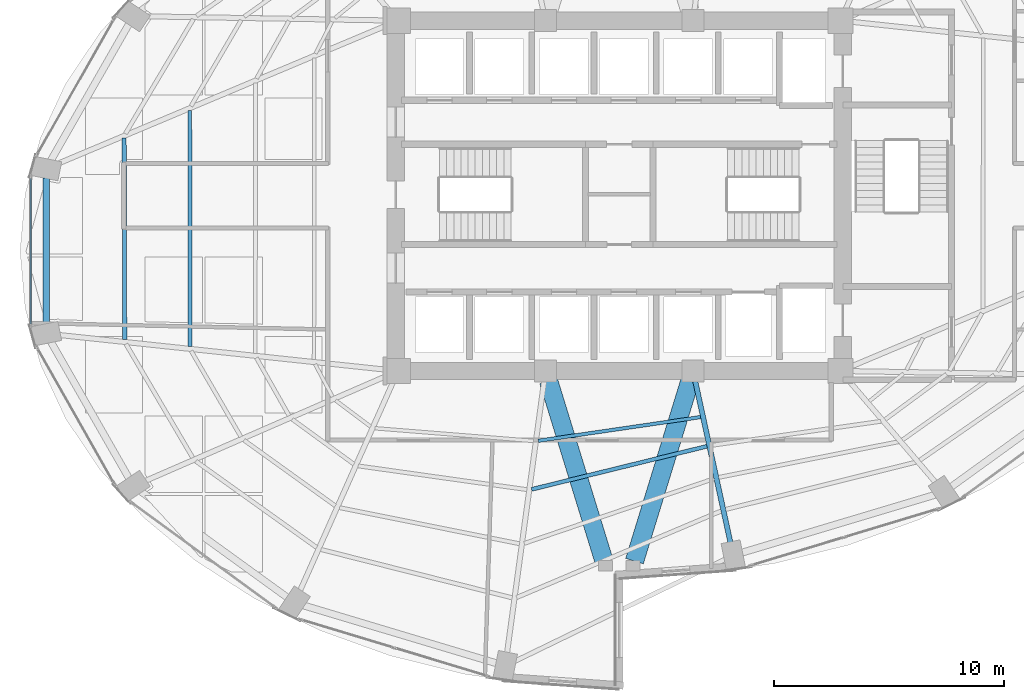
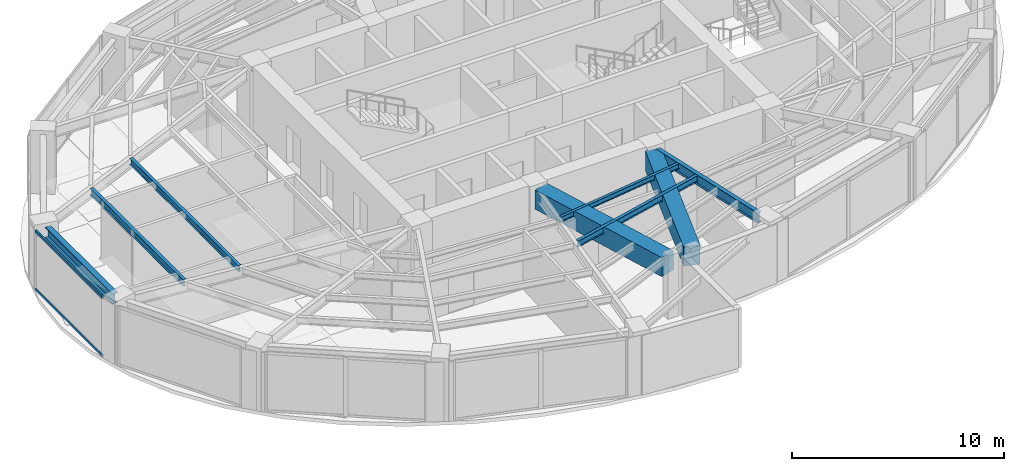
# One storey, part 7 of 23: 8 beams, 2 members, 1 element without a shape of its own.
"""IFC4 building model written with IfcOpenShell, lengths in metres."""

from ifc_helpers import new_model, si_unit, direction, frame, origin, origin_2d, place, context, subcontext, project, spatial, rectangle, hollow_rectangle, i_section, extrude, material, layer, layer_set, material_profile, profile_set, type_object, element, aggregate, save


model = new_model("IFC4")

# Units and contexts
model_context = context("Model", 3, precision=1e-05, world=origin(), true_north=direction((0.0, 1.0)))
body_context = subcontext(model_context, "Body", "Model", "MODEL_VIEW")
ifc_project = project(units=[si_unit("LENGTHUNIT", "METRE"), si_unit("AREAUNIT", "SQUARE_METRE"), si_unit("VOLUMEUNIT", "CUBIC_METRE"), si_unit("PLANEANGLEUNIT", "RADIAN"), si_unit("MASSUNIT", "GRAM", prefix="KILO")], contexts=[model_context])

# Site, building, storey
site_placement = place(None, origin())
site = spatial("IfcSite", under=ifc_project, at=site_placement, CompositionType="ELEMENT")
building_placement = place(site_placement, origin())
building = spatial("IfcBuilding", under=site, at=building_placement, Name="Lazwardi Medical Tower", CompositionType="ELEMENT")
storey_placement = place(building_placement, frame((0.0, 0.0, 107.280029296875)))
storey = spatial("IfcBuildingStorey", under=building, at=storey_placement, Name="L27", CompositionType="ELEMENT", Elevation=107.280029296875)

# Beams
ifc_material_1 = material(Name="Concrete C70/85", Category="concrete")
ifc_material_profile_1 = material_profile(ifc_material_1, rectangle(XDim=0.800048828125, YDim=1.10009765625, at=origin_2d()), Name="RC 800x1100")
ifc_profile_set_1 = profile_set([ifc_material_profile_1], Name="Concrete C70/85")
beam_type_1 = type_object("IfcBeamType", Name="BM-CB-RC1", PredefinedType="LINTEL", material=ifc_profile_set_1)
for number, where, z_axis, x_axis, name in (
    (1, (32.935302734375, 19.960205078125, 2.8779296875), (0.294073251002, -0.955782884888, 0.0), (0.955782884888, 0.294073251002, 0.0), "Core coupling lintel CB-01 PL3 L27"),
    (2, (39.064697265625, 19.960205078125, 2.8779296875), (-0.294073251002, -0.955782884888, 0.0), (0.955782884888, -0.294073251002, 0.0), "Core coupling lintel CB-01 PL4 L27"),
):
    element("IfcBeam", number, at=place(storey_placement, frame(where, z_axis=z_axis, x_axis=x_axis)), inside=storey, type_object=beam_type_1, Name=name, PredefinedType="LINTEL", context=body_context, shape_type="SweptSolid", body=[
        extrude(rectangle(XDim=0.800048828125, YDim=1.10009765625, at=origin_2d()), origin(), (0.0, 0.0, 1.0), 8.1708984375),
    ])
ifc_material_2 = material(Name="Steel S355", Category="steel")
ifc_material_profile_2 = material_profile(ifc_material_2, i_section(OverallWidth=0.300048828125, OverallDepth=0.60009765625, WebThickness=0.015380859375, FlangeThickness=0.030029296875, at=origin_2d()), Name="HEB 600")
ifc_profile_set_2 = profile_set([ifc_material_profile_2], Name="Steel S355")
beam_type_2 = type_object("IfcBeamType", Name="BM-RB-Z2", PredefinedType="BEAM", material=ifc_profile_set_2)
beam_1_placement = place(storey_placement, frame((11.13720703125, 28.77001953125, 3.1279296875), z_axis=(0.0, -1.0, 0.0), x_axis=(1.0, 0.0, 0.0)))
element("IfcBeam", 3, at=beam_1_placement, inside=storey, type_object=beam_type_2, Name="Ring beam RB-03 B12 L27", PredefinedType="BEAM", context=body_context, shape_type="SweptSolid", body=[
    extrude(i_section(OverallWidth=0.300048828125, OverallDepth=0.60009765625, WebThickness=0.015380859375, FlangeThickness=0.030029296875, at=origin_2d()), origin(), (0.0, 0.0, 1.0), 6.33984375),
])
ifc_material_profile_3 = material_profile(ifc_material_2, i_section(OverallWidth=0.219970703125, OverallDepth=0.60009765625, WebThickness=0.011962890625, FlangeThickness=0.01904296875, at=origin_2d()), Name="IPE 600")
ifc_profile_set_3 = profile_set([ifc_material_profile_3], Name="Steel S355")
beam_type_3 = type_object("IfcBeamType", Name="BM-RG-W1", PredefinedType="BEAM", material=ifc_profile_set_3)
beam_2_placement = place(storey_placement, frame((40.82177734375, 12.96923828125, 3.1279296875), z_axis=(-0.213228150441, 0.977002433907, 0.0), x_axis=(-0.977002433907, -0.213228150441, 0.0)))
element("IfcBeam", 4, at=beam_2_placement, inside=storey, type_object=beam_type_3, Name="Radial girder RG-02 R01 L27", PredefinedType="BEAM", context=body_context, shape_type="SweptSolid", body=[
    extrude(i_section(OverallWidth=0.219970703125, OverallDepth=0.60009765625, WebThickness=0.011962890625, FlangeThickness=0.01904296875, at=origin_2d()), origin(), (0.0, 0.0, 1.0), 7.145751953125),
])
ifc_material_profile_4 = material_profile(ifc_material_2, i_section(OverallWidth=0.179931640625, OverallDepth=0.39990234375, WebThickness=0.008544921875, FlangeThickness=0.013427734375, at=origin_2d()), Name="IPE 400")
ifc_profile_set_4 = profile_set([ifc_material_profile_4], Name="Steel S355")
beam_type_4 = type_object("IfcBeamType", Name="BM-SJ-01", PredefinedType="JOIST", material=ifc_profile_set_4)
beam_3_placement = place(storey_placement, frame((14.51904296875, 30.497314453125, 3.22802734375), z_axis=(0.002907126978, -0.999995774297, 0.0), x_axis=(0.999995774297, 0.002907126978, 0.0)))
element("IfcBeam", 5, at=beam_3_placement, inside=storey, type_object=beam_type_4, Name="Secondary joist SJ-01 R1 B12 L27", PredefinedType="JOIST", context=body_context, shape_type="SweptSolid", body=[
    extrude(i_section(OverallWidth=0.179931640625, OverallDepth=0.39990234375, WebThickness=0.008544921875, FlangeThickness=0.013427734375, at=origin_2d()), origin(), (0.0, 0.0, 1.0), 8.73388671875),
])
ifc_material_profile_5 = material_profile(ifc_material_2, i_section(OverallWidth=0.169921875, OverallDepth=0.360107421875, WebThickness=0.008056640625, FlangeThickness=0.0126953125, at=origin_2d()), Name="IPE 360")
ifc_profile_set_5 = profile_set([ifc_material_profile_5], Name="Steel S355")
beam_type_5 = type_object("IfcBeamType", Name="BM-SJ-02", PredefinedType="JOIST", material=ifc_profile_set_5)
beam_4_placement = place(storey_placement, frame((17.365966796875, 31.69482421875, 3.248046875), z_axis=(0.000930565095, -0.999999567024, 0.0), x_axis=(0.999999567024, 0.000930565095, 0.0)))
element("IfcBeam", 6, at=beam_4_placement, inside=storey, type_object=beam_type_5, Name="Secondary joist SJ-02 R2 B12 L27", PredefinedType="JOIST", context=body_context, shape_type="SweptSolid", body=[
    extrude(i_section(OverallWidth=0.169921875, OverallDepth=0.360107421875, WebThickness=0.008056640625, FlangeThickness=0.0126953125, at=origin_2d()), origin(), (0.0, 0.0, 1.0), 10.23193359375),
])
beam_5_placement = place(storey_placement, frame((32.19775390625, 15.262451171875, 3.248046875), z_axis=(0.97107737879, 0.238764998276, 0.0), x_axis=(-0.238764998276, 0.97107737879, 0.0)))
element("IfcBeam", 7, at=beam_5_placement, inside=storey, type_object=beam_type_5, Name="Secondary joist SJ-02 R3 B16 L27", PredefinedType="JOIST", context=body_context, shape_type="SweptSolid", body=[
    extrude(i_section(OverallWidth=0.169921875, OverallDepth=0.360107421875, WebThickness=0.008056640625, FlangeThickness=0.0126953125, at=origin_2d()), origin(), (0.0, 0.0, 1.0), 7.83447265625),
])
ifc_material_profile_6 = material_profile(ifc_material_2, i_section(OverallWidth=0.14990234375, OverallDepth=0.300048828125, WebThickness=0.007080078125, FlangeThickness=0.0107421875, at=origin_2d()), Name="IPE 300")
ifc_profile_set_6 = profile_set([ifc_material_profile_6], Name="Steel S355")
beam_type_6 = type_object("IfcBeamType", Name="BM-SJ-03", PredefinedType="JOIST", material=ifc_profile_set_6)
beam_6_placement = place(storey_placement, frame((32.488525390625, 17.37060546875, 3.278076171875), z_axis=(0.98949221477, 0.144586157392, 0.0), x_axis=(-0.144586157392, 0.98949221477, 0.0)))
element("IfcBeam", 8, at=beam_6_placement, inside=storey, type_object=beam_type_6, Name="Secondary joist SJ-03 R4 B16 L27", PredefinedType="JOIST", context=body_context, shape_type="SweptSolid", body=[
    extrude(i_section(OverallWidth=0.14990234375, OverallDepth=0.300048828125, WebThickness=0.007080078125, FlangeThickness=0.0107421875, at=origin_2d()), origin(), (0.0, 0.0, 1.0), 7.115478515625),
])

# Curtain wall, members
ifc_material_3 = material(Name="Anodised bronze aluminium and solar control glazing", Category="aluminium")
ifc_layer = layer(ifc_material_3, 0.195068359375)
ifc_layer_set = layer_set([ifc_layer], Name="Anodised bronze aluminium and solar control glazing")
curtain_wall_type = type_object("IfcCurtainWallType", Name="CW-SYS-03", PredefinedType="NOTDEFINED", material=ifc_layer_set)
curtain_wall_placement = place(storey_placement, origin())
curtain_wall = element("IfcCurtainWall", 9, at=curtain_wall_placement, inside=storey, type_object=curtain_wall_type, Name="L27 Unitised bronze curtain wall CW-03", PredefinedType="NOTDEFINED")
ifc_material_4 = material(Name="Anodised bronze aluminium", Category="aluminium")
ifc_material_profile_7 = material_profile(ifc_material_4, hollow_rectangle(XDim=0.074951171875, YDim=0.159912109375, WallThickness=0.00390625, at=origin_2d()), Name="ALU-TRANSOM 160x75x4")
ifc_profile_set_7 = profile_set([ifc_material_profile_7], Name="Anodised bronze aluminium")
member_type = type_object("IfcMemberType", Name="CW-TRN-01", PredefinedType="USERDEFINED", material=ifc_profile_set_7)
member_1_placement = place(storey_placement, frame((10.471923828125, 28.760009765625, 0.037353515625), z_axis=(0.0, -1.0, 0.0), x_axis=(1.0, 0.0, 0.0)))
member_1 = element("IfcMember", 10, at=member_1_placement, type_object=member_type, Name="CW-03 transom 1.1", ObjectType="TRANSOM", PredefinedType="USERDEFINED", context=body_context, shape_type="SweptSolid", body=[
    extrude(hollow_rectangle(XDim=0.074951171875, YDim=0.159912109375, WallThickness=0.00390625, at=origin_2d()), origin(), (0.0, 0.0, 1.0), 6.31982421875),
])
member_2_placement = place(storey_placement, frame((10.471923828125, 28.760009765625, 3.390380859375), z_axis=(0.0, -1.0, 0.0), x_axis=(1.0, 0.0, 0.0)))
member_2 = element("IfcMember", 11, at=member_2_placement, type_object=member_type, Name="CW-03 transom 1.2", ObjectType="TRANSOM", PredefinedType="USERDEFINED", context=body_context, shape_type="SweptSolid", body=[
    extrude(hollow_rectangle(XDim=0.074951171875, YDim=0.159912109375, WallThickness=0.00390625, at=origin_2d()), origin(), (0.0, 0.0, 1.0), 6.31982421875),
])
aggregate(curtain_wall, [member_1, member_2])

save(model, "model.ifc")
